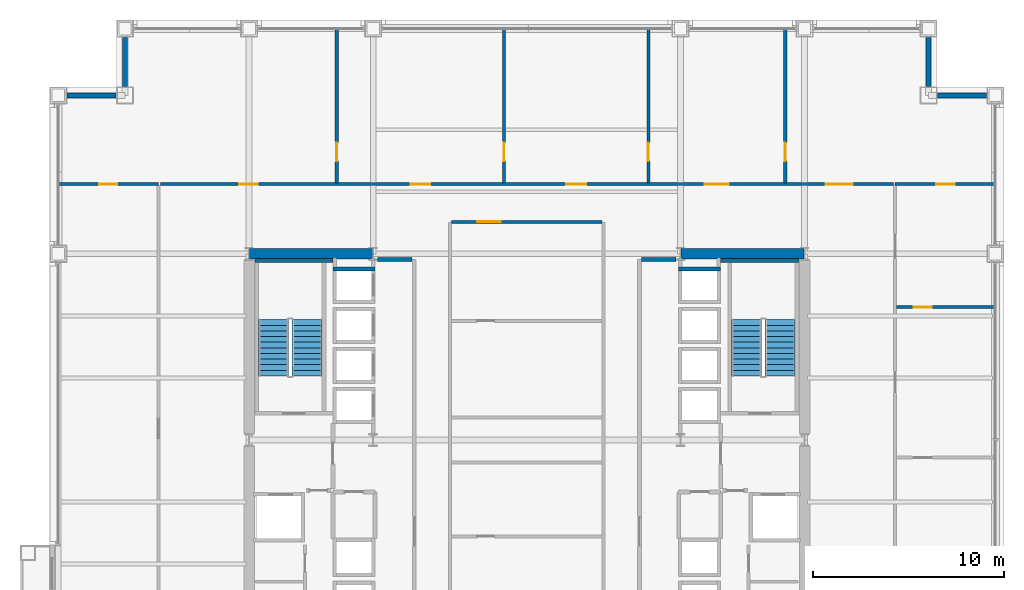
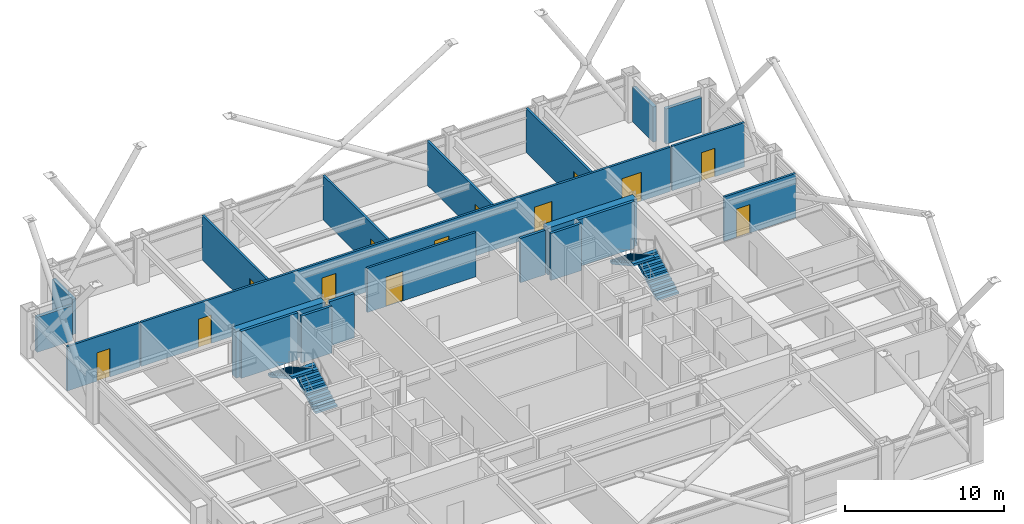
# One storey, part 27 of 29: 21 walls, 13 doors, 4 stair flights, 13 openings, 2 elements without a shape of their own.
"""IFC4 building model written with IfcOpenShell, lengths in metres."""

import ifcopenshell
import ifcopenshell.guid

model = None  # the IFC model being written
_history = None  # IfcOwnerHistory: only IFC2X3 demands one
_inside = {}  # id of a spatial element -> (the spatial element, [elements in it])
_under = {}  # id of a project, library or spatial element -> (it, [spatial elements below it])
_declared = {}  # id of a project -> (the project, [libraries it declares])
_typed = {}  # id of a type object -> (the type object, [elements of that type])
_made_of = {}  # id of a material, layer set ... -> (it, [elements and type objects made of it])


def new_model(schema):
    """Start an empty IFC model of exactly this schema.

    Asked for "IFC4X3", IfcOpenShell would pick the latest addendum, in which some entities
    have other attributes; the version numbers below select the first issue.
    IFC2X3 requires an IfcOwnerHistory on every rooted entity: one is made here for all.
    """
    global model, _history
    if schema == "IFC4X3":
        model = ifcopenshell.file(schema_version=(4, 3, 0, 0))
    else:
        model = ifcopenshell.file(schema=schema)
    _inside.clear()
    _under.clear()
    _declared.clear()
    _typed.clear()
    _made_of.clear()
    _history = None
    if model.schema == "IFC2X3":
        org = make("IfcOrganization", Name="unknown")
        user = make(
            "IfcPersonAndOrganization",
            ThePerson=make("IfcPerson", FamilyName="unknown"),
            TheOrganization=org,
        )
        app = make(
            "IfcApplication",
            ApplicationDeveloper=org,
            Version="unknown",
            ApplicationFullName="unknown",
            ApplicationIdentifier="unknown",
        )
        _history = make(
            "IfcOwnerHistory",
            OwningUser=user,
            OwningApplication=app,
            ChangeAction="ADDED",
            CreationDate=0,
        )
    return model


def make(cls, **values):
    """One entity of the class cls with the attributes given. An attribute that is None is left unset."""
    return model.create_entity(
        cls, **{name: value for name, value in values.items() if value is not None}
    )


def rooted(cls, **values):
    """An entity with a GlobalId (a new one), such as an element, a storey or a relation."""
    return make(cls, GlobalId=ifcopenshell.guid.new(), OwnerHistory=_history, **values)


def si_unit(unit_type, name, prefix=None):
    """IfcSIUnit, for example si_unit("LENGTHUNIT", "METRE", prefix="MILLI")."""
    return make("IfcSIUnit", UnitType=unit_type, Prefix=prefix, Name=name)


def assignment(units):
    """IfcUnitAssignment: the units of a project."""
    return None if units is None else make("IfcUnitAssignment", Units=units)


def point(xyz):
    """IfcCartesianPoint."""
    return None if xyz is None else make("IfcCartesianPoint", Coordinates=xyz)


def direction(xyz):
    """IfcDirection."""
    return None if xyz is None else make("IfcDirection", DirectionRatios=xyz)


def frame(location, z_axis=None, x_axis=None):
    """IfcAxis2Placement3D, a coordinate frame: its origin and axes. An axis left out is left unset."""
    return make(
        "IfcAxis2Placement3D",
        Location=point(location),
        Axis=direction(z_axis),
        RefDirection=direction(x_axis),
    )


def frame_2d(location, x_axis=None):
    """IfcAxis2Placement2D, a coordinate frame in the plane: its origin and x axis."""
    return make(
        "IfcAxis2Placement2D", Location=point(location), RefDirection=direction(x_axis)
    )


def origin():
    """The frame at (0, 0, 0) with its axes left unset."""
    return frame((0.0, 0.0, 0.0))


def place(relative_to, where):
    """IfcLocalPlacement: puts the frame where relative to a parent placement (None: the world)."""
    return make(
        "IfcLocalPlacement", PlacementRelTo=relative_to, RelativePlacement=where
    )


def context(
    kind, dimensions, precision=None, world=None, true_north=None, identifier=None
):
    """IfcGeometricRepresentationContext, for example the 3D "Model" context."""
    return make(
        "IfcGeometricRepresentationContext",
        ContextIdentifier=identifier,
        ContextType=kind,
        CoordinateSpaceDimension=dimensions,
        Precision=precision,
        WorldCoordinateSystem=world,
        TrueNorth=true_north,
    )


def subcontext(parent, identifier, kind, view, scale=None):
    """IfcGeometricRepresentationSubContext, for example "Body" below "Model"."""
    return make(
        "IfcGeometricRepresentationSubContext",
        ContextIdentifier=identifier,
        ContextType=kind,
        ParentContext=parent,
        TargetScale=scale,
        TargetView=view,
    )


def project(units=None, contexts=None):
    """IfcProject with its units and contexts."""
    return rooted(
        "IfcProject",
        Name="project",
        RepresentationContexts=contexts,
        UnitsInContext=assignment(units),
    )


def spatial(cls, under=None, at=None, **own):
    """A site, building, storey or space (cls), placed at a placement, below another one or the project."""
    s = rooted(cls, ObjectPlacement=at, **own)
    if under is not None:
        _under.setdefault(under.id(), (under, []))[1].append(s)
    return s


def polyline(points):
    """IfcPolyline through the points."""
    return make("IfcPolyline", Points=[point(p) for p in points])


def profile(cls, at=None, kind="AREA", **sizes):
    """A parametric profile (cls). Its sizes go by their IFC names, for example OverallWidth=200.0."""
    return make(cls, ProfileType=kind, Position=at, **sizes)


def rectangle(**sizes):
    """IfcRectangleProfileDef."""
    return profile("IfcRectangleProfileDef", **sizes)


def outline(outer, holes=None, kind="AREA"):
    """IfcArbitraryClosedProfileDef: a profile drawn as a closed curve; with holes, ...WithVoids."""
    if holes is None:
        return make("IfcArbitraryClosedProfileDef", ProfileType=kind, OuterCurve=outer)
    return make(
        "IfcArbitraryProfileDefWithVoids",
        ProfileType=kind,
        OuterCurve=outer,
        InnerCurves=holes,
    )


def extrude(swept, where, along, depth):
    """IfcExtrudedAreaSolid: the profile swept, set in the frame where, extruded along a direction by depth."""
    return make(
        "IfcExtrudedAreaSolid",
        SweptArea=swept,
        Position=where,
        ExtrudedDirection=direction(along),
        Depth=depth,
    )


def shape(context_of_items, identifier, shape_type, items):
    """IfcShapeRepresentation: the items that make up one representation, for example the "Body"."""
    return make(
        "IfcShapeRepresentation",
        ContextOfItems=context_of_items,
        RepresentationIdentifier=identifier,
        RepresentationType=shape_type,
        Items=items,
    )


def material(Name=None, Category=None):
    """IfcMaterial."""
    return make("IfcMaterial", Name=Name, Category=Category)


def layer(
    of_material, thickness, ventilated=None, Name=None, Category=None, Priority=None
):
    """IfcMaterialLayer: one layer of a wall or slab, of a material (None: an air gap)."""
    return make(
        "IfcMaterialLayer",
        Material=of_material,
        LayerThickness=thickness,
        IsVentilated=ventilated,
        Name=Name,
        Category=Category,
        Priority=Priority,
    )


def layer_set(layers, Name=None):
    """IfcMaterialLayerSet."""
    return make("IfcMaterialLayerSet", MaterialLayers=layers, LayerSetName=Name)


def made_of(thing, what):
    """Note that an element or type object is made of a material, layer set ...; save() writes the relation."""
    if what is not None:
        _made_of.setdefault(what.id(), (what, []))[1].append(thing)
    return thing


def type_object(cls, material=None, **own):
    """A type object (cls), such as IfcWallType, which elements share."""
    return made_of(rooted(cls, **own), material)


def element(
    cls,
    number,
    at=None,
    inside=None,
    cuts=None,
    type_object=None,
    material=None,
    context=None,
    identifier="Body",
    shape_type=None,
    held_by="IfcProductDefinitionShape",
    body=None,
    shapes=None,
    **own,
):
    """One element of the class cls, such as IfcWall. Its Tag is "e" and its number.

    at: its placement. inside: the storey or other place that contains it. cuts: it is an
    opening in that element (IfcRelVoidsElement). A single representation is given by context,
    identifier, shape_type and body (its items); several are given by shapes. held_by: the class
    of the entity that holds the representations. save() writes the other relations.
    """
    e = rooted(cls, Tag="e%d" % number, ObjectPlacement=at, **own)
    if body is not None:
        shapes = [shape(context, identifier, shape_type, body)]
    if shapes is not None:
        e.Representation = make(held_by, Representations=shapes)
    if inside is not None:
        _inside.setdefault(inside.id(), (inside, []))[1].append(e)
    if cuts is not None:
        rooted(
            "IfcRelVoidsElement", RelatingBuildingElement=cuts, RelatedOpeningElement=e
        )
    if type_object is not None:
        _typed.setdefault(type_object.id(), (type_object, []))[1].append(e)
    return made_of(e, material)


def fill(opening, filler):
    """IfcRelFillsElement: the door or window that sits in an opening."""
    return rooted(
        "IfcRelFillsElement",
        RelatingOpeningElement=opening,
        RelatedBuildingElement=filler,
    )


def aggregate(whole, parts):
    """IfcRelAggregates: a whole, such as a stair, and the parts it consists of."""
    return rooted("IfcRelAggregates", RelatingObject=whole, RelatedObjects=parts)


def save(model, path):
    """Write the relations noted so far, then the file.

    IfcRelAggregates (storeys below a building ...), IfcRelContainedInSpatialStructure (elements
    in a storey), IfcRelDefinesByType, IfcRelAssociatesMaterial and IfcRelDeclares: one each for
    every whole, place, type object, material and project.
    """
    for whole, parts in _under.values():
        aggregate(whole, parts)
    for where, things in _inside.values():
        rooted(
            "IfcRelContainedInSpatialStructure",
            RelatedElements=things,
            RelatingStructure=where,
        )
    for kind, things in _typed.values():
        rooted("IfcRelDefinesByType", RelatedObjects=things, RelatingType=kind)
    for what, things in _made_of.values():
        rooted("IfcRelAssociatesMaterial", RelatedObjects=things, RelatingMaterial=what)
    for by, libraries in _declared.values():
        rooted("IfcRelDeclares", RelatingContext=by, RelatedDefinitions=libraries)
    model.write(path)


model = new_model("IFC4")

# Units and contexts
model_context = context("Model", 3, precision=1e-05, world=origin(), true_north=direction((0.0, 1.0)))
body_context = subcontext(model_context, "Body", "Model", "MODEL_VIEW")
ifc_project = project(units=[si_unit("LENGTHUNIT", "METRE"), si_unit("AREAUNIT", "SQUARE_METRE"), si_unit("VOLUMEUNIT", "CUBIC_METRE"), si_unit("PLANEANGLEUNIT", "RADIAN"), si_unit("MASSUNIT", "GRAM", prefix="KILO")], contexts=[model_context])

# Site, building, storey
site_placement = place(None, origin())
site = spatial("IfcSite", under=ifc_project, at=site_placement, CompositionType="ELEMENT")
building_placement = place(site_placement, origin())
building = spatial("IfcBuilding", under=site, at=building_placement, Name="Brelmoor Portico Tower", CompositionType="ELEMENT")
storey_placement = place(building_placement, frame((0.0, 0.0, 67.199951171875)))
storey = spatial("IfcBuildingStorey", under=building, at=storey_placement, Name="L17", CompositionType="ELEMENT", Elevation=67.199951171875)

# Walls
ifc_material_1 = material(Name="Concrete C60", Category="concrete")
ifc_layer_1 = layer(ifc_material_1, 0.550048828125)
ifc_layer_set_1 = layer_set([ifc_layer_1], Name="Concrete C60")
wall_type_1 = type_object("IfcWallType", Name="WL-CORE-550", PredefinedType="SHEAR", material=ifc_layer_set_1)
for number, where, z_axis, x_axis, name in (
    (1, (-14.530029296875, 9.75, -0.199951171875), (0.0, 0.0, 1.0), (1.0, 0.0, 0.0), "L17 WC North Shear Wall"),
    (2, (8.070068359375, 9.75, -0.199951171875), (0.0, 0.0, 1.0), (1.0, 0.0, 0.0), "L17 EC North Shear Wall"),
):
    element("IfcWall", number, at=place(storey_placement, frame(where, z_axis=z_axis, x_axis=x_axis)), inside=storey, type_object=wall_type_1, Name=name, PredefinedType="SHEAR", context=body_context, shape_type="SweptSolid", body=[
        extrude(rectangle(XDim=6.4599609375, YDim=0.550048828125, at=frame_2d((3.22998046875, 0.0))), origin(), (0.0, 0.0, 1.0), 3.60009765625),
    ])
ifc_material_2 = material(Name="Precast Concrete C40 Insulated Facade Wall", Category="concrete")
ifc_layer_2 = layer(ifc_material_2, 0.25)
ifc_layer_set_2 = layer_set([ifc_layer_2], Name="Precast Concrete C40 Insulated Facade Wall")
wall_type_2 = type_object("IfcWallType", Name="WL-EXT-250", PredefinedType="STANDARD", material=ifc_layer_set_2)
for number, where, z_axis, x_axis, name in (
    (3, (-24.090087890625, 18.050048828125, 0.0), (0.0, 0.0, 1.0), (1.0, 0.0, 0.0), "L17 Corner Notch Facade Wall NNWH1"),
    (4, (-21.050048828125, 18.510009765625, 0.0), (0.0, 0.0, 1.0), (0.0, 1.0, 0.0), "L17 Corner Notch Facade Wall NNWV1"),
    (5, (21.510009765625, 18.050048828125, 0.0), (0.0, 0.0, 1.0), (1.0, 0.0, 0.0), "L17 Corner Notch Facade Wall NNEH1"),
    (6, (21.050048828125, 18.510009765625, 0.0), (0.0, 0.0, 1.0), (0.0, 1.0, 0.0), "L17 Corner Notch Facade Wall NNEV1"),
):
    element("IfcWall", number, at=place(storey_placement, frame(where, z_axis=z_axis, x_axis=x_axis)), inside=storey, type_object=wall_type_2, Name=name, PredefinedType="STANDARD", context=body_context, shape_type="SweptSolid", body=[
        extrude(rectangle(XDim=2.580078125, YDim=0.25, at=frame_2d((1.2900390625, 0.0))), origin(), (0.0, 0.0, 1.0), 2.699951171875),
    ])

# Wall, opening, door
ifc_material_3 = material(Name="Twin-Frame Acoustic Partition", Category="gypsum")
ifc_layer_3 = layer(ifc_material_3, 0.159912109375)
ifc_layer_set_3 = layer_set([ifc_layer_3], Name="Twin-Frame Acoustic Partition")
wall_type_3 = type_object("IfcWallType", Name="WL-PART-160", PredefinedType="PARTITIONING", material=ifc_layer_set_3)
wall_1_placement = place(storey_placement, frame((-3.949951171875, 11.419921875, 0.0), z_axis=(0.0, 0.0, 1.0), x_axis=(1.0, 0.0, 0.0)))
wall_1 = element("IfcWall", 7, at=wall_1_placement, inside=storey, type_object=wall_type_3, Name="L17 Central Meeting Corridor Wall", PredefinedType="PARTITIONING", context=body_context, shape_type="SweptSolid", body=[
    extrude(rectangle(XDim=7.89990234375, YDim=0.159912109375, at=frame_2d((3.949951171875, 0.0))), origin(), (0.0, 0.0, 1.0), 3.400146484375),
])
opening_1_placement = place(wall_1_placement, frame((1.35009765625, 0.0, 0.0)))
opening_1 = element("IfcOpeningElement", 8, at=opening_1_placement, cuts=wall_1, Name="Opening D-SU1", PredefinedType="OPENING", context=body_context, shape_type="SweptSolid", body=[
    extrude(rectangle(XDim=1.239990234375, YDim=2.239990234375, at=frame_2d((0.6201171875, 1.1201171875))), frame((0.0, 0.08984375, 0.0), z_axis=(0.0, -1.0, 0.0), x_axis=(1.0, 0.0, 0.0)), (0.0, 0.0, 1.0), 0.179931640625),
])
ifc_material_4 = material(Name="Glazed Timber Executive Suite Door", Category="wood")
door_type_1 = type_object("IfcDoorType", Name="DR-SUITE-1200", OperationType="NOTDEFINED", PredefinedType="DOOR", material=ifc_material_4)
door_1_placement = place(opening_1_placement, origin())
door_1 = element("IfcDoor", 9, at=door_1_placement, inside=storey, type_object=door_type_1, Name="D-0753 L17 Client Meeting Room Door", OperationType="SINGLE_SWING_RIGHT", OverallHeight=2.239990234375, OverallWidth=1.239990234375, PredefinedType="DOOR", context=body_context, shape_type="SweptSolid", body=[
    extrude(rectangle(XDim=1.239990234375, YDim=2.239990234375, at=frame_2d((0.6201171875, 1.1201171875))), frame((0.0, 0.02490234375, 0.0), z_axis=(0.0, -1.0, 0.0), x_axis=(1.0, 0.0, 0.0)), (0.0, 0.0, 1.0), 0.050048828125),
])
fill(opening_1, door_1)

wall_2_placement = place(storey_placement, frame((-9.955078125, 13.4599609375, 0.0), z_axis=(0.0, 0.0, 1.0), x_axis=(0.0, 1.0, 0.0)))
wall_2 = element("IfcWall", 10, at=wall_2_placement, inside=storey, type_object=wall_type_3, Name="L17 North Suite Partition 1", PredefinedType="PARTITIONING", context=body_context, shape_type="SweptSolid", body=[
    extrude(rectangle(XDim=8.10009765625, YDim=0.159912109375, at=frame_2d((4.050048828125, 0.0))), origin(), (0.0, 0.0, 1.0), 3.400146484375),
])
opening_2_placement = place(wall_2_placement, frame((1.14990234375, 0.0, 0.0)))
opening_2 = element("IfcOpeningElement", 11, at=opening_2_placement, cuts=wall_2, Name="Opening D-IN2", PredefinedType="OPENING", context=body_context, shape_type="SweptSolid", body=[
    extrude(rectangle(XDim=0.9599609375, YDim=2.179931640625, at=frame_2d((0.47998046875, 1.08984375))), frame((0.0, 0.08984375, 0.0), z_axis=(0.0, -1.0, 0.0), x_axis=(1.0, 0.0, 0.0)), (0.0, 0.0, 1.0), 0.179931640625),
])
ifc_material_5 = material(Name="Lacquered Timber Suite Door", Category="wood")
door_type_2 = type_object("IfcDoorType", Name="DR-INT-950", OperationType="NOTDEFINED", PredefinedType="DOOR", material=ifc_material_5)
door_2_placement = place(opening_2_placement, origin())
door_2 = element("IfcDoor", 12, at=door_2_placement, inside=storey, type_object=door_type_2, Name="D-0774 L17 North Suite Connecting Door 1", OperationType="SINGLE_SWING_RIGHT", OverallHeight=2.179931640625, OverallWidth=0.9599609375, PredefinedType="DOOR", context=body_context, shape_type="SweptSolid", body=[
    extrude(rectangle(XDim=0.9599609375, YDim=2.179931640625, at=frame_2d((0.47998046875, 1.08984375))), frame((0.0, 0.02490234375, 0.0), z_axis=(0.0, -1.0, 0.0), x_axis=(1.0, 0.0, 0.0)), (0.0, 0.0, 1.0), 0.050048828125),
])
fill(opening_2, door_2)

wall_3_placement = place(storey_placement, frame((-1.194580078125, 13.4599609375, 0.0), z_axis=(0.0, 0.0, 1.0), x_axis=(0.0, 1.0, 0.0)))
wall_3 = element("IfcWall", 13, at=wall_3_placement, inside=storey, type_object=wall_type_3, Name="L17 North Suite Partition 2", PredefinedType="PARTITIONING", context=body_context, shape_type="SweptSolid", body=[
    extrude(rectangle(XDim=8.10009765625, YDim=0.159912109375, at=frame_2d((4.050048828125, 0.0))), origin(), (0.0, 0.0, 1.0), 3.400146484375),
])
opening_3_placement = place(wall_3_placement, frame((1.14990234375, 0.0, 0.0)))
opening_3 = element("IfcOpeningElement", 14, at=opening_3_placement, cuts=wall_3, Name="Opening D-IN2", PredefinedType="OPENING", context=body_context, shape_type="SweptSolid", body=[
    extrude(rectangle(XDim=0.9599609375, YDim=2.179931640625, at=frame_2d((0.47998046875, 1.08984375))), frame((0.0, 0.08984375, 0.0), z_axis=(0.0, -1.0, 0.0), x_axis=(1.0, 0.0, 0.0)), (0.0, 0.0, 1.0), 0.179931640625),
])
door_3_placement = place(opening_3_placement, origin())
door_3 = element("IfcDoor", 15, at=door_3_placement, inside=storey, type_object=door_type_2, Name="D-0775 L17 North Suite Connecting Door 2", OperationType="SINGLE_SWING_LEFT", OverallHeight=2.179931640625, OverallWidth=0.9599609375, PredefinedType="DOOR", context=body_context, shape_type="SweptSolid", body=[
    extrude(rectangle(XDim=0.9599609375, YDim=2.179931640625, at=frame_2d((0.47998046875, 1.08984375))), frame((0.0, 0.02490234375, 0.0), z_axis=(0.0, -1.0, 0.0), x_axis=(1.0, 0.0, 0.0)), (0.0, 0.0, 1.0), 0.050048828125),
])
fill(opening_3, door_3)

wall_4_placement = place(storey_placement, frame((6.37109375, 13.4599609375, 0.0), z_axis=(0.0, 0.0, 1.0), x_axis=(0.0, 1.0, 0.0)))
wall_4 = element("IfcWall", 16, at=wall_4_placement, inside=storey, type_object=wall_type_3, Name="L17 North Suite Partition 3", PredefinedType="PARTITIONING", context=body_context, shape_type="SweptSolid", body=[
    extrude(rectangle(XDim=8.10009765625, YDim=0.159912109375, at=frame_2d((4.050048828125, 0.0))), origin(), (0.0, 0.0, 1.0), 3.400146484375),
])
opening_4_placement = place(wall_4_placement, frame((1.14990234375, 0.0, 0.0)))
opening_4 = element("IfcOpeningElement", 17, at=opening_4_placement, cuts=wall_4, Name="Opening D-IN2", PredefinedType="OPENING", context=body_context, shape_type="SweptSolid", body=[
    extrude(rectangle(XDim=0.9599609375, YDim=2.179931640625, at=frame_2d((0.47998046875, 1.08984375))), frame((0.0, 0.08984375, 0.0), z_axis=(0.0, -1.0, 0.0), x_axis=(1.0, 0.0, 0.0)), (0.0, 0.0, 1.0), 0.179931640625),
])
door_4_placement = place(opening_4_placement, origin())
door_4 = element("IfcDoor", 18, at=door_4_placement, inside=storey, type_object=door_type_2, Name="D-0776 L17 North Suite Connecting Door 3", OperationType="SINGLE_SWING_RIGHT", OverallHeight=2.179931640625, OverallWidth=0.9599609375, PredefinedType="DOOR", context=body_context, shape_type="SweptSolid", body=[
    extrude(rectangle(XDim=0.9599609375, YDim=2.179931640625, at=frame_2d((0.47998046875, 1.08984375))), frame((0.0, 0.02490234375, 0.0), z_axis=(0.0, -1.0, 0.0), x_axis=(1.0, 0.0, 0.0)), (0.0, 0.0, 1.0), 0.050048828125),
])
fill(opening_4, door_4)

wall_5_placement = place(storey_placement, frame((13.538818359375, 13.4599609375, 0.0), z_axis=(0.0, 0.0, 1.0), x_axis=(0.0, 1.0, 0.0)))
wall_5 = element("IfcWall", 19, at=wall_5_placement, inside=storey, type_object=wall_type_3, Name="L17 North Suite Partition 4", PredefinedType="PARTITIONING", context=body_context, shape_type="SweptSolid", body=[
    extrude(rectangle(XDim=8.10009765625, YDim=0.159912109375, at=frame_2d((4.050048828125, 0.0))), origin(), (0.0, 0.0, 1.0), 3.400146484375),
])
opening_5_placement = place(wall_5_placement, frame((1.14990234375, 0.0, 0.0)))
opening_5 = element("IfcOpeningElement", 20, at=opening_5_placement, cuts=wall_5, Name="Opening D-IN2", PredefinedType="OPENING", context=body_context, shape_type="SweptSolid", body=[
    extrude(rectangle(XDim=0.9599609375, YDim=2.179931640625, at=frame_2d((0.47998046875, 1.08984375))), frame((0.0, 0.08984375, 0.0), z_axis=(0.0, -1.0, 0.0), x_axis=(1.0, 0.0, 0.0)), (0.0, 0.0, 1.0), 0.179931640625),
])
door_5_placement = place(opening_5_placement, origin())
door_5 = element("IfcDoor", 21, at=door_5_placement, inside=storey, type_object=door_type_2, Name="D-0777 L17 North Suite Connecting Door 4", OperationType="SINGLE_SWING_LEFT", OverallHeight=2.179931640625, OverallWidth=0.9599609375, PredefinedType="DOOR", context=body_context, shape_type="SweptSolid", body=[
    extrude(rectangle(XDim=0.9599609375, YDim=2.179931640625, at=frame_2d((0.47998046875, 1.08984375))), frame((0.0, 0.02490234375, 0.0), z_axis=(0.0, -1.0, 0.0), x_axis=(1.0, 0.0, 0.0)), (0.0, 0.0, 1.0), 0.050048828125),
])
fill(opening_5, door_5)

# Wall, openings, doors
wall_6_placement = place(storey_placement, frame((-19.199951171875, 13.39990234375, 0.0), z_axis=(0.0, 0.0, 1.0), x_axis=(1.0, 0.0, 0.0)))
wall_6 = element("IfcWall", 22, at=wall_6_placement, inside=storey, type_object=wall_type_3, Name="L17 North Corridor Partition", PredefinedType="PARTITIONING", context=body_context, shape_type="SweptSolid", body=[
    extrude(rectangle(XDim=38.39990234375, YDim=0.159912109375, at=frame_2d((19.199951171875, 0.0))), origin(), (0.0, 0.0, 1.0), 3.400146484375),
])
opening_6_placement = place(wall_6_placement, frame((4.142578125, 0.0, 0.0)))
opening_6 = element("IfcOpeningElement", 23, at=opening_6_placement, cuts=wall_6, Name="Opening D-IN2", PredefinedType="OPENING", context=body_context, shape_type="SweptSolid", body=[
    extrude(rectangle(XDim=0.9599609375, YDim=2.179931640625, at=frame_2d((0.47998046875, 1.08984375))), frame((0.0, 0.08984375, 0.0), z_axis=(0.0, -1.0, 0.0), x_axis=(1.0, 0.0, 0.0)), (0.0, 0.0, 1.0), 0.179931640625),
])
opening_7_placement = place(wall_6_placement, frame((13.115234375, 0.0, 0.0)))
opening_7 = element("IfcOpeningElement", 24, at=opening_7_placement, cuts=wall_6, Name="Opening D-OF1", PredefinedType="OPENING", context=body_context, shape_type="SweptSolid", body=[
    extrude(rectangle(XDim=1.02001953125, YDim=2.199951171875, at=frame_2d((0.510009765625, 1.10009765625))), frame((0.0, 0.08984375, 0.0), z_axis=(0.0, -1.0, 0.0), x_axis=(1.0, 0.0, 0.0)), (0.0, 0.0, 1.0), 0.179931640625),
])
opening_8_placement = place(wall_6_placement, frame((21.25830078125, 0.0, 0.0)))
opening_8 = element("IfcOpeningElement", 25, at=opening_8_placement, cuts=wall_6, Name="Opening D-OF2", PredefinedType="OPENING", context=body_context, shape_type="SweptSolid", body=[
    extrude(rectangle(XDim=1.06005859375, YDim=2.199951171875, at=frame_2d((0.530029296875, 1.10009765625))), frame((0.0, 0.08984375, 0.0), z_axis=(0.0, -1.0, 0.0), x_axis=(1.0, 0.0, 0.0)), (0.0, 0.0, 1.0), 0.179931640625),
])
opening_9_placement = place(wall_6_placement, frame((28.534912109375, 0.0, 0.0)))
opening_9 = element("IfcOpeningElement", 26, at=opening_9_placement, cuts=wall_6, Name="Opening D-SU1", PredefinedType="OPENING", context=body_context, shape_type="SweptSolid", body=[
    extrude(rectangle(XDim=1.239990234375, YDim=2.239990234375, at=frame_2d((0.6201171875, 1.1201171875))), frame((0.0, 0.08984375, 0.0), z_axis=(0.0, -1.0, 0.0), x_axis=(1.0, 0.0, 0.0)), (0.0, 0.0, 1.0), 0.179931640625),
])
opening_10_placement = place(wall_6_placement, frame((34.869384765625, 0.0, 0.0)))
opening_10 = element("IfcOpeningElement", 27, at=opening_10_placement, cuts=wall_6, Name="Opening D-SU2", PredefinedType="OPENING", context=body_context, shape_type="SweptSolid", body=[
    extrude(rectangle(XDim=1.39990234375, YDim=2.199951171875, at=frame_2d((0.699951171875, 1.10009765625))), frame((0.0, 0.08984375, 0.0), z_axis=(0.0, -1.0, 0.0), x_axis=(1.0, 0.0, 0.0)), (0.0, 0.0, 1.0), 0.179931640625),
])
door_6_placement = place(opening_6_placement, origin())
door_6 = element("IfcDoor", 28, at=door_6_placement, inside=storey, type_object=door_type_2, Name="D-0769 L17 North Cellular Office 1 Door", OperationType="SINGLE_SWING_RIGHT", OverallHeight=2.179931640625, OverallWidth=0.9599609375, PredefinedType="DOOR", context=body_context, shape_type="SweptSolid", body=[
    extrude(rectangle(XDim=0.9599609375, YDim=2.179931640625, at=frame_2d((0.47998046875, 1.08984375))), frame((0.0, 0.02490234375, 0.0), z_axis=(0.0, -1.0, 0.0), x_axis=(1.0, 0.0, 0.0)), (0.0, 0.0, 1.0), 0.050048828125),
])
fill(opening_6, door_6)
ifc_material_6 = material(Name="Hardwood Acoustic Veneer Door", Category="wood")
door_type_3 = type_object("IfcDoorType", Name="DR-OFFICE-1000", OperationType="NOTDEFINED", PredefinedType="DOOR", material=ifc_material_6)
door_7_placement = place(opening_7_placement, origin())
door_7 = element("IfcDoor", 29, at=door_7_placement, inside=storey, type_object=door_type_3, Name="D-0770 L17 North Project Strategy Office 2 Door", OperationType="SINGLE_SWING_LEFT", OverallHeight=2.199951171875, OverallWidth=1.02001953125, PredefinedType="DOOR", context=body_context, shape_type="SweptSolid", body=[
    extrude(rectangle(XDim=1.02001953125, YDim=2.199951171875, at=frame_2d((0.510009765625, 1.10009765625))), frame((0.0, 0.02490234375, 0.0), z_axis=(0.0, -1.0, 0.0), x_axis=(1.0, 0.0, 0.0)), (0.0, 0.0, 1.0), 0.050048828125),
])
fill(opening_7, door_7)
door_type_4 = type_object("IfcDoorType", Name="DR-OFFICE-1050", OperationType="NOTDEFINED", PredefinedType="DOOR", material=ifc_material_6)
door_8_placement = place(opening_8_placement, origin())
door_8 = element("IfcDoor", 30, at=door_8_placement, inside=storey, type_object=door_type_4, Name="D-0771 L17 North Quiet Study Room 3 Door", OperationType="SINGLE_SWING_RIGHT", OverallHeight=2.199951171875, OverallWidth=1.06005859375, PredefinedType="DOOR", context=body_context, shape_type="SweptSolid", body=[
    extrude(rectangle(XDim=1.06005859375, YDim=2.199951171875, at=frame_2d((0.530029296875, 1.10009765625))), frame((0.0, 0.02490234375, 0.0), z_axis=(0.0, -1.0, 0.0), x_axis=(1.0, 0.0, 0.0)), (0.0, 0.0, 1.0), 0.050048828125),
])
fill(opening_8, door_8)
door_9_placement = place(opening_9_placement, origin())
door_9 = element("IfcDoor", 31, at=door_9_placement, inside=storey, type_object=door_type_1, Name="D-0772 L17 North Technical Storage 4 Door", OperationType="SINGLE_SWING_LEFT", OverallHeight=2.239990234375, OverallWidth=1.239990234375, PredefinedType="DOOR", context=body_context, shape_type="SweptSolid", body=[
    extrude(rectangle(XDim=1.239990234375, YDim=2.239990234375, at=frame_2d((0.6201171875, 1.1201171875))), frame((0.0, 0.02490234375, 0.0), z_axis=(0.0, -1.0, 0.0), x_axis=(1.0, 0.0, 0.0)), (0.0, 0.0, 1.0), 0.050048828125),
])
fill(opening_9, door_9)
ifc_material_7 = material(Name="Double-Leaf Acoustic Suite Door", Category="timber")
door_type_5 = type_object("IfcDoorType", Name="DR-SUITE-1400", OperationType="NOTDEFINED", PredefinedType="DOOR", material=ifc_material_7)
door_10_placement = place(opening_10_placement, origin())
door_10 = element("IfcDoor", 32, at=door_10_placement, inside=storey, type_object=door_type_5, Name="D-0773 L17 North Open-Plan Office 5 Door", OperationType="DOUBLE_DOOR_SINGLE_SWING", OverallHeight=2.199951171875, OverallWidth=1.39990234375, PredefinedType="DOOR", context=body_context, shape_type="SweptSolid", body=[
    extrude(rectangle(XDim=1.39990234375, YDim=2.199951171875, at=frame_2d((0.699951171875, 1.10009765625))), frame((0.0, 0.02490234375, 0.0), z_axis=(0.0, -1.0, 0.0), x_axis=(1.0, 0.0, 0.0)), (0.0, 0.0, 1.0), 0.050048828125),
])
fill(opening_10, door_10)

# Wall, opening, door
wall_7_placement = place(storey_placement, frame((-24.56005859375, 13.39990234375, 0.0), z_axis=(0.0, 0.0, 1.0), x_axis=(1.0, 0.0, 0.0)))
wall_7 = element("IfcWall", 33, at=wall_7_placement, inside=storey, type_object=wall_type_3, Name="L17 North Outer Closure WL", PredefinedType="PARTITIONING", context=body_context, shape_type="SweptSolid", body=[
    extrude(rectangle(XDim=5.260009765625, YDim=0.159912109375, at=frame_2d((2.6298828125, 0.0))), origin(), (0.0, 0.0, 1.0), 3.400146484375),
])
opening_11_placement = place(wall_7_placement, frame((2.14990234375, 0.0, 0.0)))
opening_11 = element("IfcOpeningElement", 34, at=opening_11_placement, cuts=wall_7, Name="Opening D-IN2", PredefinedType="OPENING", context=body_context, shape_type="SweptSolid", body=[
    extrude(rectangle(XDim=0.9599609375, YDim=2.179931640625, at=frame_2d((0.47998046875, 1.08984375))), frame((0.0, 0.08984375, 0.0), z_axis=(0.0, -1.0, 0.0), x_axis=(1.0, 0.0, 0.0)), (0.0, 0.0, 1.0), 0.179931640625),
])
door_11_placement = place(opening_11_placement, origin())
door_11 = element("IfcDoor", 35, at=door_11_placement, inside=storey, type_object=door_type_2, Name="D-0779 L17 WL North Corner Suite Door", OperationType="SINGLE_SWING_RIGHT", OverallHeight=2.179931640625, OverallWidth=0.9599609375, PredefinedType="DOOR", context=body_context, shape_type="SweptSolid", body=[
    extrude(rectangle(XDim=0.9599609375, YDim=2.179931640625, at=frame_2d((0.47998046875, 1.08984375))), frame((0.0, 0.02490234375, 0.0), z_axis=(0.0, -1.0, 0.0), x_axis=(1.0, 0.0, 0.0)), (0.0, 0.0, 1.0), 0.050048828125),
])
fill(opening_11, door_11)

wall_8_placement = place(storey_placement, frame((19.300048828125, 13.39990234375, 0.0), z_axis=(0.0, 0.0, 1.0), x_axis=(1.0, 0.0, 0.0)))
wall_8 = element("IfcWall", 36, at=wall_8_placement, inside=storey, type_object=wall_type_3, Name="L17 North Outer Closure ER", PredefinedType="PARTITIONING", context=body_context, shape_type="SweptSolid", body=[
    extrude(rectangle(XDim=5.260009765625, YDim=0.159912109375, at=frame_2d((2.6298828125, 0.0))), origin(), (0.0, 0.0, 1.0), 3.400146484375),
])
opening_12_placement = place(wall_8_placement, frame((2.14990234375, 0.0, 0.0)))
opening_12 = element("IfcOpeningElement", 37, at=opening_12_placement, cuts=wall_8, Name="Opening D-IN2", PredefinedType="OPENING", context=body_context, shape_type="SweptSolid", body=[
    extrude(rectangle(XDim=0.9599609375, YDim=2.179931640625, at=frame_2d((0.47998046875, 1.08984375))), frame((0.0, 0.08984375, 0.0), z_axis=(0.0, -1.0, 0.0), x_axis=(1.0, 0.0, 0.0)), (0.0, 0.0, 1.0), 0.179931640625),
])
door_12_placement = place(opening_12_placement, origin())
door_12 = element("IfcDoor", 38, at=door_12_placement, inside=storey, type_object=door_type_2, Name="D-0778 L17 ER North Corner Suite Door", OperationType="SINGLE_SWING_LEFT", OverallHeight=2.179931640625, OverallWidth=0.9599609375, PredefinedType="DOOR", context=body_context, shape_type="SweptSolid", body=[
    extrude(rectangle(XDim=0.9599609375, YDim=2.179931640625, at=frame_2d((0.47998046875, 1.08984375))), frame((0.0, 0.02490234375, 0.0), z_axis=(0.0, -1.0, 0.0), x_axis=(1.0, 0.0, 0.0)), (0.0, 0.0, 1.0), 0.050048828125),
])
fill(opening_12, door_12)

wall_9_placement = place(storey_placement, frame((19.360107421875, 6.9599609375, 0.0), z_axis=(0.0, 0.0, 1.0), x_axis=(1.0, 0.0, 0.0)))
wall_9 = element("IfcWall", 39, at=wall_9_placement, inside=storey, type_object=wall_type_3, Name="L17 E Wing Partition 2", PredefinedType="PARTITIONING", context=body_context, shape_type="SweptSolid", body=[
    extrude(rectangle(XDim=5.199951171875, YDim=0.159912109375, at=frame_2d((2.60009765625, 0.0))), origin(), (0.0, 0.0, 1.0), 3.400146484375),
])
opening_13_placement = place(wall_9_placement, frame((0.89990234375, 0.0, 0.0)))
opening_13 = element("IfcOpeningElement", 40, at=opening_13_placement, cuts=wall_9, Name="Opening D-IN2", PredefinedType="OPENING", context=body_context, shape_type="SweptSolid", body=[
    extrude(rectangle(XDim=0.9599609375, YDim=2.179931640625, at=frame_2d((0.47998046875, 1.08984375))), frame((0.0, 0.08984375, 0.0), z_axis=(0.0, -1.0, 0.0), x_axis=(1.0, 0.0, 0.0)), (0.0, 0.0, 1.0), 0.179931640625),
])
door_13_placement = place(opening_13_placement, origin())
door_13 = element("IfcDoor", 41, at=door_13_placement, inside=storey, type_object=door_type_2, Name="D-0793 L17 E Wing Suite Connecting Door 2", OperationType="SINGLE_SWING_RIGHT", OverallHeight=2.179931640625, OverallWidth=0.9599609375, PredefinedType="DOOR", context=body_context, shape_type="SweptSolid", body=[
    extrude(rectangle(XDim=0.9599609375, YDim=2.179931640625, at=frame_2d((0.47998046875, 1.08984375))), frame((0.0, 0.02490234375, 0.0), z_axis=(0.0, -1.0, 0.0), x_axis=(1.0, 0.0, 0.0)), (0.0, 0.0, 1.0), 0.050048828125),
])
fill(opening_13, door_13)

# Walls
ifc_material_8 = material(Name="Double-Stud Gypsum Fire Partition", Category="gypsum")
ifc_layer_4 = layer(ifc_material_8, 0.199951171875)
ifc_layer_set_4 = layer_set([ifc_layer_4], Name="Double-Stud Gypsum Fire Partition")
wall_type_4 = type_object("IfcWallType", Name="WL-PART-200", PredefinedType="PARTITIONING", material=ifc_layer_set_4)
for number, where, z_axis, x_axis, name in (
    (42, (-6.02001953125, 9.449951171875, 0.0), (0.0, 0.0, 1.0), (-1.0, 0.0, 0.0), "L17 W Lift Lobby North End Wall"),
    (43, (6.02001953125, 9.449951171875, 0.0), (0.0, 0.0, 1.0), (1.0, 0.0, 0.0), "L17 E Lift Lobby North End Wall"),
):
    element("IfcWall", number, at=place(storey_placement, frame(where, z_axis=z_axis, x_axis=x_axis)), inside=storey, type_object=wall_type_4, Name=name, PredefinedType="PARTITIONING", context=body_context, shape_type="SweptSolid", body=[
        extrude(rectangle(XDim=1.800048828125, YDim=0.199951171875, at=frame_2d((0.89990234375, 0.0))), origin(), (0.0, 0.0, 1.0), 3.400146484375),
    ])
ifc_material_9 = material(Name="Precast Concrete C40", Category="concrete")
ifc_layer_5 = layer(ifc_material_9, 0.18994140625)
ifc_layer_set_5 = layer_set([ifc_layer_5], Name="Precast Concrete C40")
wall_type_5 = type_object("IfcWallType", Name="WL-SHAFT-180", PredefinedType="SOLIDWALL", material=ifc_layer_set_5)
for number, where, z_axis, x_axis, name in (
    (44, (-10.14990234375, 8.955078125, -0.199951171875), (0.0, 0.0, 1.0), (1.0, 0.0, 0.0), "L17 Lift PL4 Hoistway North Wall"),
    (45, (7.949951171875, 8.955078125, -0.199951171875), (0.0, 0.0, 1.0), (1.0, 0.0, 0.0), "L17 Lift PM4 Hoistway North Wall"),
):
    element("IfcWall", number, at=place(storey_placement, frame(where, z_axis=z_axis, x_axis=x_axis)), inside=storey, type_object=wall_type_5, Name=name, PredefinedType="SOLIDWALL", context=body_context, shape_type="SweptSolid", body=[
        extrude(rectangle(XDim=2.199951171875, YDim=0.18994140625, at=frame_2d((1.10009765625, 0.0))), origin(), (0.0, 0.0, 1.0), 3.60009765625),
    ])
ifc_material_10 = material(Name="Concrete C40", Category="concrete")
ifc_layer_6 = layer(ifc_material_10, 0.199951171875)
ifc_layer_set_6 = layer_set([ifc_layer_6], Name="Concrete C40")
wall_type_6 = type_object("IfcWallType", Name="WL-SHAFT-RC200", PredefinedType="SOLIDWALL", material=ifc_layer_set_6)
for number, where, z_axis, x_axis, name in (
    (46, (-14.25, 9.39990234375, -0.199951171875), (0.0, 0.0, 1.0), (1.0, 0.0, 0.0), "L17 ST-W Structural Stair Wall N"),
    (47, (10.14990234375, 9.39990234375, -0.199951171875), (0.0, 0.0, 1.0), (1.0, 0.0, 0.0), "L17 ST-E Structural Stair Wall N"),
):
    element("IfcWall", number, at=place(storey_placement, frame(where, z_axis=z_axis, x_axis=x_axis)), inside=storey, type_object=wall_type_6, Name=name, PredefinedType="SOLIDWALL", context=body_context, shape_type="SweptSolid", body=[
        extrude(rectangle(XDim=4.10009765625, YDim=0.199951171875, at=frame_2d((2.050048828125, 0.0))), origin(), (0.0, 0.0, 1.0), 3.60009765625),
    ])

# Stair, stair flights
stair_type_1 = type_object("IfcStairType", Name="ST-CORE-W", PredefinedType="HALF_TURN_STAIR", material=ifc_material_10)
stair_1_placement = place(storey_placement, origin())
stair_1 = element("IfcStair", 48, at=stair_1_placement, inside=storey, type_object=stair_type_1, Name="L17 Protected Core Exit Stair ST-W", PredefinedType="HALF_TURN_STAIR")
stair_flight_type = type_object("IfcStairFlightType", Name="SF-CORE-1850", PredefinedType="STRAIGHT", material=ifc_material_10)
stair_flight_1_placement = place(storey_placement, frame((-11.510009765625, 3.35009765625, 0.0), z_axis=(0.0, 0.0, 1.0), x_axis=(0.0, 1.0, 0.0)))
stair_flight_1 = element("IfcStairFlight", 49, at=stair_flight_1_placement, type_object=stair_flight_type, Name="ST-W flight 1", NumberOfRisers=11, NumberOfTreads=10, PredefinedType="STRAIGHT", RiserHeight=0.163636364, TreadLength=0.295, context=body_context, shape_type="SweptSolid", body=[
    extrude(outline(polyline([(0.0, 0.0), (0.0, 0.16357421875), (0.294921875, 0.16357421875), (0.294921875, 0.327392578125), (0.590087890625, 0.327392578125), (0.590087890625, 0.490966796875), (0.885009765625, 0.490966796875), (0.885009765625, 0.654541015625), (1.179931640625, 0.654541015625), (1.179931640625, 0.818115234375), (1.47509765625, 0.818115234375), (1.47509765625, 0.98193359375), (1.77001953125, 0.98193359375), (1.77001953125, 1.1455078125), (2.06494140625, 1.1455078125), (2.06494140625, 1.30908203125), (2.360107421875, 1.30908203125), (2.360107421875, 1.47265625), (2.655029296875, 1.47265625), (2.655029296875, 1.636474609375), (2.949951171875, 1.636474609375), (2.949951171875, 1.800048828125), (2.949951171875, 1.46484375), (0.30908203125, 0.0), (0.0, 0.0)])), frame((0.0, 0.780029296875, 0.0), z_axis=(0.0, -1.0, 0.0), x_axis=(1.0, 0.0, 0.0)), (0.0, 0.0, 1.0), 1.56005859375),
])
stair_flight_2_placement = place(storey_placement, frame((-13.27001953125, 6.300048828125, 1.800048828125), z_axis=(0.0, 0.0, 1.0), x_axis=(0.0, -1.0, 0.0)))
stair_flight_2 = element("IfcStairFlight", 50, at=stair_flight_2_placement, type_object=stair_flight_type, Name="ST-W flight 2", NumberOfRisers=11, NumberOfTreads=10, PredefinedType="STRAIGHT", RiserHeight=0.163636364, TreadLength=0.295, context=body_context, shape_type="SweptSolid", body=[
    extrude(outline(polyline([(0.0, 0.0), (0.0, 0.16357421875), (0.294921875, 0.16357421875), (0.294921875, 0.327392578125), (0.590087890625, 0.327392578125), (0.590087890625, 0.490966796875), (0.885009765625, 0.490966796875), (0.885009765625, 0.654541015625), (1.179931640625, 0.654541015625), (1.179931640625, 0.818115234375), (1.47509765625, 0.818115234375), (1.47509765625, 0.98193359375), (1.77001953125, 0.98193359375), (1.77001953125, 1.1455078125), (2.06494140625, 1.1455078125), (2.06494140625, 1.30908203125), (2.360107421875, 1.30908203125), (2.360107421875, 1.47265625), (2.655029296875, 1.47265625), (2.655029296875, 1.636474609375), (2.949951171875, 1.636474609375), (2.949951171875, 1.800048828125), (2.949951171875, 1.46484375), (0.30908203125, 0.0), (0.0, 0.0)])), frame((0.0, 0.780029296875, 0.0), z_axis=(0.0, -1.0, 0.0), x_axis=(1.0, 0.0, 0.0)), (0.0, 0.0, 1.0), 1.56005859375),
])
aggregate(stair_1, [stair_flight_1, stair_flight_2])

stair_type_2 = type_object("IfcStairType", Name="ST-CORE-E", PredefinedType="HALF_TURN_STAIR", material=ifc_material_10)
stair_2_placement = place(storey_placement, origin())
stair_2 = element("IfcStair", 51, at=stair_2_placement, inside=storey, type_object=stair_type_2, Name="L17 Protected Core Exit Stair ST-E", PredefinedType="HALF_TURN_STAIR")
stair_flight_3_placement = place(storey_placement, frame((13.27001953125, 3.35009765625, 0.0), z_axis=(0.0, 0.0, 1.0), x_axis=(0.0, 1.0, 0.0)))
stair_flight_3 = element("IfcStairFlight", 52, at=stair_flight_3_placement, type_object=stair_flight_type, Name="ST-E flight 1", NumberOfRisers=11, NumberOfTreads=10, PredefinedType="STRAIGHT", RiserHeight=0.163636364, TreadLength=0.295, context=body_context, shape_type="SweptSolid", body=[
    extrude(outline(polyline([(0.0, 0.0), (0.0, 0.16357421875), (0.294921875, 0.16357421875), (0.294921875, 0.327392578125), (0.590087890625, 0.327392578125), (0.590087890625, 0.490966796875), (0.885009765625, 0.490966796875), (0.885009765625, 0.654541015625), (1.179931640625, 0.654541015625), (1.179931640625, 0.818115234375), (1.47509765625, 0.818115234375), (1.47509765625, 0.98193359375), (1.77001953125, 0.98193359375), (1.77001953125, 1.1455078125), (2.06494140625, 1.1455078125), (2.06494140625, 1.30908203125), (2.360107421875, 1.30908203125), (2.360107421875, 1.47265625), (2.655029296875, 1.47265625), (2.655029296875, 1.636474609375), (2.949951171875, 1.636474609375), (2.949951171875, 1.800048828125), (2.949951171875, 1.46484375), (0.30908203125, 0.0), (0.0, 0.0)])), frame((0.0, 0.780029296875, 0.0), z_axis=(0.0, -1.0, 0.0), x_axis=(1.0, 0.0, 0.0)), (0.0, 0.0, 1.0), 1.56005859375),
])
stair_flight_4_placement = place(storey_placement, frame((11.510009765625, 6.300048828125, 1.800048828125), z_axis=(0.0, 0.0, 1.0), x_axis=(0.0, -1.0, 0.0)))
stair_flight_4 = element("IfcStairFlight", 53, at=stair_flight_4_placement, type_object=stair_flight_type, Name="ST-E flight 2", NumberOfRisers=11, NumberOfTreads=10, PredefinedType="STRAIGHT", RiserHeight=0.163636364, TreadLength=0.295, context=body_context, shape_type="SweptSolid", body=[
    extrude(outline(polyline([(0.0, 0.0), (0.0, 0.16357421875), (0.294921875, 0.16357421875), (0.294921875, 0.327392578125), (0.590087890625, 0.327392578125), (0.590087890625, 0.490966796875), (0.885009765625, 0.490966796875), (0.885009765625, 0.654541015625), (1.179931640625, 0.654541015625), (1.179931640625, 0.818115234375), (1.47509765625, 0.818115234375), (1.47509765625, 0.98193359375), (1.77001953125, 0.98193359375), (1.77001953125, 1.1455078125), (2.06494140625, 1.1455078125), (2.06494140625, 1.30908203125), (2.360107421875, 1.30908203125), (2.360107421875, 1.47265625), (2.655029296875, 1.47265625), (2.655029296875, 1.636474609375), (2.949951171875, 1.636474609375), (2.949951171875, 1.800048828125), (2.949951171875, 1.46484375), (0.30908203125, 0.0), (0.0, 0.0)])), frame((0.0, 0.780029296875, 0.0), z_axis=(0.0, -1.0, 0.0), x_axis=(1.0, 0.0, 0.0)), (0.0, 0.0, 1.0), 1.56005859375),
])
aggregate(stair_2, [stair_flight_3, stair_flight_4])

save(model, "model.ifc")
